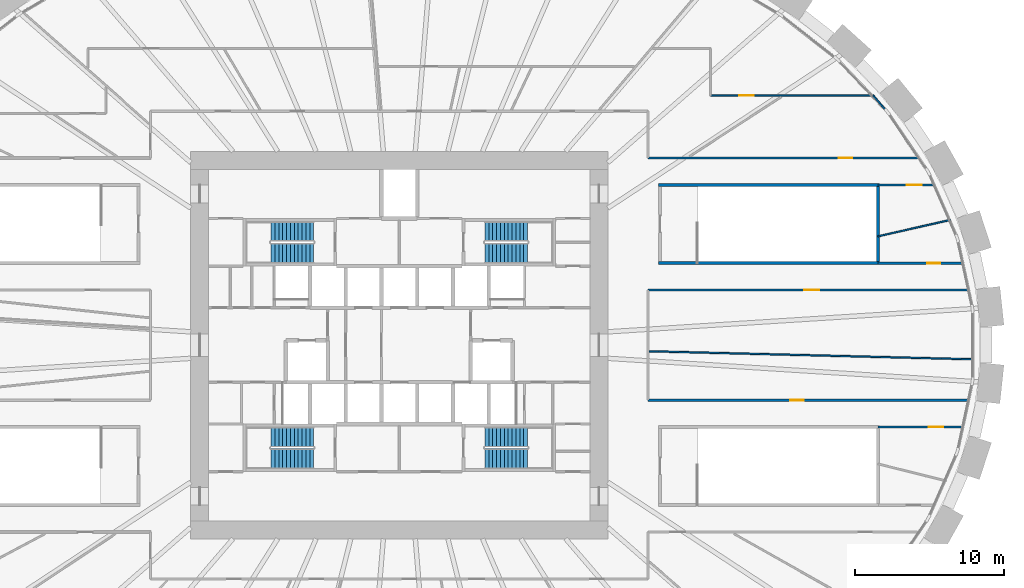
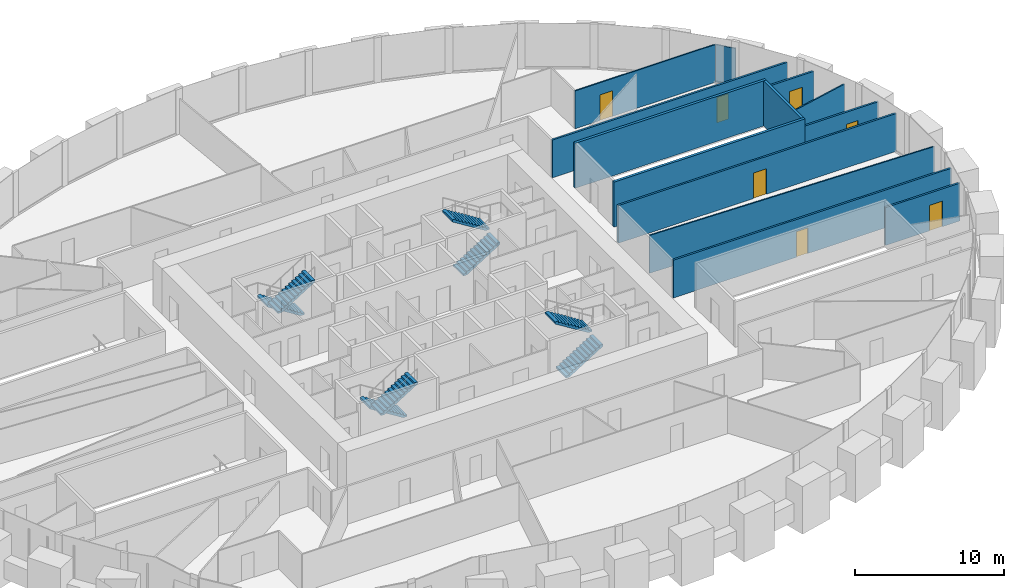
# One storey, part 11 of 12: 13 walls, 8 stair flights, 7 doors, 7 openings, 4 elements without a shape of their own.
"""IFC4 building model written with IfcOpenShell, lengths in metres."""

from ifc_helpers import new_model, si_unit, direction, frame, frame_2d, origin, place, context, subcontext, project, spatial, polyline, rectangle, outline, extrude, source, transform, mapped, material, layer, layer_set, type_object, element, fill, aggregate, save


model = new_model("IFC4")

# Units and contexts
model_context = context("Model", 3, precision=1e-05, world=origin(), true_north=direction((0.0, 1.0)))
body_context = subcontext(model_context, "Body", "Model", "MODEL_VIEW")
ifc_project = project(units=[si_unit("LENGTHUNIT", "METRE"), si_unit("AREAUNIT", "SQUARE_METRE"), si_unit("VOLUMEUNIT", "CUBIC_METRE"), si_unit("PLANEANGLEUNIT", "RADIAN"), si_unit("MASSUNIT", "GRAM", prefix="KILO")], contexts=[model_context])

# Site, building, storey
site_placement = place(None, origin())
site = spatial("IfcSite", under=ifc_project, at=site_placement, CompositionType="ELEMENT")
building_placement = place(site_placement, origin())
building = spatial("IfcBuilding", under=site, at=building_placement, Name="Embergate Tower", CompositionType="ELEMENT")
storey_placement = place(building_placement, frame((0.0, 0.0, 38.0)))
storey = spatial("IfcBuildingStorey", under=building, at=storey_placement, Name="L05", CompositionType="ELEMENT", Elevation=38.0)

# Wall, opening, door
ifc_material_1 = material(Name="Corridor wall dry-lined 150")
ifc_layer_1 = layer(ifc_material_1, 0.14990234375)
ifc_layer_set_1 = layer_set([ifc_layer_1], Name="Corridor wall dry-lined 150")
wall_type_1 = type_object("IfcWallType", Name="Corridor wall dry-lined 150", PredefinedType="PARTITIONING", material=ifc_layer_set_1)
shared_shape_1 = source(origin(), body_context, "Body", "SweptSolid", [
    extrude(rectangle(XDim=18.233154296875, YDim=0.14990234375, at=frame_2d((9.11669921875, 0.0))), origin(), (0.0, 0.0, 1.0), 3.10009765625),
])
wall_1_placement = place(storey_placement, frame((16.699951171875, 12.550048828125, 0.0), z_axis=(0.0, 0.0, 1.0), x_axis=(1.0, 0.0, 0.0)))
wall_1 = element("IfcWall", 1, at=wall_1_placement, inside=storey, type_object=wall_type_1, Name="IP-2 wall", PredefinedType="PARTITIONING", context=body_context, shape_type="MappedRepresentation", body=[
    mapped(shared_shape_1, transform((0.0, 0.0, 0.0))),
])
shared_shape_2 = source(origin(), body_context, "Body", "SweptSolid", [
    extrude(rectangle(XDim=0.89990234375, YDim=2.10009765625, at=frame_2d((0.449951171875, 1.050048828125))), frame((0.0, 0.0849609375, 0.0), z_axis=(0.0, -1.0, 0.0), x_axis=(1.0, 0.0, 0.0)), (0.0, 0.0, 1.0), 0.169921875),
])
opening_1_placement = place(wall_1_placement, frame((12.797119140625, 0.0, 0.0)))
opening_1 = element("IfcOpeningElement", 2, at=opening_1_placement, cuts=wall_1, Name="Opening IF-1c", PredefinedType="OPENING", context=body_context, shape_type="MappedRepresentation", body=[
    mapped(shared_shape_2, transform((0.0, 0.0, 0.0))),
])
ifc_material_2 = material(Name="Escape fire door 900")
door_type_1 = type_object("IfcDoorType", Name="Escape fire door 900", OperationType="SINGLE_SWING_LEFT", PredefinedType="DOOR", material=ifc_material_2)
shared_shape_3 = source(origin(), body_context, "Body", "SweptSolid", [
    extrude(rectangle(XDim=0.89990234375, YDim=2.10009765625, at=frame_2d((0.449951171875, 1.050048828125))), frame((0.0, 0.02490234375, 0.0), z_axis=(0.0, -1.0, 0.0), x_axis=(1.0, 0.0, 0.0)), (0.0, 0.0, 1.0), 0.050048828125),
])
door_1_placement = place(opening_1_placement, origin())
door_1 = element("IfcDoor", 3, at=door_1_placement, inside=storey, type_object=door_type_1, Name="IF-1 door", OperationType="SINGLE_SWING_RIGHT", OverallHeight=2.10009765625, OverallWidth=0.89990234375, PredefinedType="DOOR", context=body_context, shape_type="MappedRepresentation", body=[
    mapped(shared_shape_3, transform((0.0, 0.0, 0.0))),
])
fill(opening_1, door_1)

shared_shape_4 = source(origin(), body_context, "Body", "SweptSolid", [
    extrude(rectangle(XDim=21.578125, YDim=0.14990234375, at=frame_2d((10.7890625, 0.0))), origin(), (0.0, 0.0, 1.0), 3.10009765625),
])
wall_2_placement = place(storey_placement, frame((16.699951171875, -3.699951171875, 0.0), z_axis=(0.0, 0.0, 1.0), x_axis=(1.0, 0.0, 0.0)))
wall_2 = element("IfcWall", 4, at=wall_2_placement, inside=storey, type_object=wall_type_1, Name="IP-2 wall", PredefinedType="PARTITIONING", context=body_context, shape_type="MappedRepresentation", body=[
    mapped(shared_shape_4, transform((0.0, 0.0, 0.0))),
])
opening_2_placement = place(wall_2_placement, frame((9.535888671875, 0.0, 0.0)))
opening_2 = element("IfcOpeningElement", 5, at=opening_2_placement, cuts=wall_2, Name="Opening IF-1c", PredefinedType="OPENING", context=body_context, shape_type="MappedRepresentation", body=[
    mapped(shared_shape_2, transform((0.0, 0.0, 0.0))),
])
door_2_placement = place(opening_2_placement, origin())
door_2 = element("IfcDoor", 6, at=door_2_placement, inside=storey, type_object=door_type_1, Name="IF-1 door", OperationType="SINGLE_SWING_LEFT", OverallHeight=2.10009765625, OverallWidth=0.89990234375, PredefinedType="DOOR", context=body_context, shape_type="MappedRepresentation", body=[
    mapped(shared_shape_3, transform((0.0, 0.0, 0.0))),
])
fill(opening_2, door_2)

wall_3_placement = place(storey_placement, frame((38.278076171875, 3.699951171875, 0.0), z_axis=(0.0, 0.0, 1.0), x_axis=(-1.0, 0.0, 0.0)))
wall_3 = element("IfcWall", 7, at=wall_3_placement, inside=storey, type_object=wall_type_1, Name="IP-2 wall", PredefinedType="PARTITIONING", context=body_context, shape_type="MappedRepresentation", body=[
    mapped(shared_shape_4, transform((0.0, 0.0, 0.0))),
])
shared_shape_5 = source(origin(), body_context, "Body", "SweptSolid", [
    extrude(rectangle(XDim=1.0, YDim=2.10009765625, at=frame_2d((0.5, 1.050048828125))), frame((0.0, 0.0849609375, 0.0), z_axis=(0.0, -1.0, 0.0), x_axis=(1.0, 0.0, 0.0)), (0.0, 0.0, 1.0), 0.169921875),
])
opening_3_placement = place(wall_3_placement, frame((10.0888671875, 0.0, 0.0)))
opening_3 = element("IfcOpeningElement", 8, at=opening_3_placement, cuts=wall_3, Name="Opening ID-2", PredefinedType="OPENING", context=body_context, shape_type="MappedRepresentation", body=[
    mapped(shared_shape_5, transform((0.0, 0.0, 0.0))),
])
ifc_material_3 = material(Name="Interior door 1000")
door_type_2 = type_object("IfcDoorType", Name="Interior door 1000", OperationType="SINGLE_SWING_LEFT", PredefinedType="DOOR", material=ifc_material_3)
shared_shape_6 = source(origin(), body_context, "Body", "SweptSolid", [
    extrude(rectangle(XDim=1.0, YDim=2.10009765625, at=frame_2d((0.5, 1.050048828125))), frame((0.0, 0.02490234375, 0.0), z_axis=(0.0, -1.0, 0.0), x_axis=(1.0, 0.0, 0.0)), (0.0, 0.0, 1.0), 0.050048828125),
])
door_3_placement = place(opening_3_placement, origin())
door_3 = element("IfcDoor", 9, at=door_3_placement, inside=storey, type_object=door_type_2, Name="ID-2 door", OperationType="SINGLE_SWING_LEFT", OverallHeight=2.10009765625, OverallWidth=1.0, PredefinedType="DOOR", context=body_context, shape_type="MappedRepresentation", body=[
    mapped(shared_shape_6, transform((0.0, 0.0, 0.0))),
])
fill(opening_3, door_3)

shared_shape_7 = source(origin(), body_context, "Body", "SweptSolid", [
    extrude(rectangle(XDim=5.79296875, YDim=0.14990234375, at=frame_2d((2.896484375, 0.0))), origin(), (0.0, 0.0, 1.0), 3.10009765625),
])
wall_4_placement = place(storey_placement, frame((37.9130859375, -5.5, 0.0), z_axis=(0.0, 0.0, 1.0), x_axis=(-1.0, 0.0, 0.0)))
wall_4 = element("IfcWall", 10, at=wall_4_placement, inside=storey, type_object=wall_type_1, Name="IP-2 wall", PredefinedType="PARTITIONING", context=body_context, shape_type="MappedRepresentation", body=[
    mapped(shared_shape_7, transform((0.0, 0.0, 0.0))),
])
opening_4_placement = place(wall_4_placement, frame((1.390380859375, 0.0, 0.0)))
opening_4 = element("IfcOpeningElement", 11, at=opening_4_placement, cuts=wall_4, Name="Opening ID-2", PredefinedType="OPENING", context=body_context, shape_type="MappedRepresentation", body=[
    mapped(shared_shape_5, transform((0.0, 0.0, 0.0))),
])
door_4_placement = place(opening_4_placement, origin())
door_4 = element("IfcDoor", 12, at=door_4_placement, inside=storey, type_object=door_type_2, Name="ID-2 door", OperationType="SINGLE_SWING_LEFT", OverallHeight=2.10009765625, OverallWidth=1.0, PredefinedType="DOOR", context=body_context, shape_type="MappedRepresentation", body=[
    mapped(shared_shape_6, transform((0.0, 0.0, 0.0))),
])
fill(opening_4, door_4)

wall_5_placement = place(storey_placement, frame((32.1201171875, 5.5, 0.0), z_axis=(0.0, 0.0, 1.0), x_axis=(1.0, 0.0, 0.0)))
wall_5 = element("IfcWall", 13, at=wall_5_placement, inside=storey, type_object=wall_type_1, Name="IP-2 wall", PredefinedType="PARTITIONING", context=body_context, shape_type="MappedRepresentation", body=[
    mapped(shared_shape_7, transform((0.0, 0.0, 0.0))),
])
opening_5_placement = place(wall_5_placement, frame((3.304931640625, 0.0, 0.0)))
opening_5 = element("IfcOpeningElement", 14, at=opening_5_placement, cuts=wall_5, Name="Opening IF-1c", PredefinedType="OPENING", context=body_context, shape_type="MappedRepresentation", body=[
    mapped(shared_shape_2, transform((0.0, 0.0, 0.0))),
])
door_5_placement = place(opening_5_placement, origin())
door_5 = element("IfcDoor", 15, at=door_5_placement, inside=storey, type_object=door_type_1, Name="IF-1 door", OperationType="SINGLE_SWING_RIGHT", OverallHeight=2.10009765625, OverallWidth=0.89990234375, PredefinedType="DOOR", context=body_context, shape_type="MappedRepresentation", body=[
    mapped(shared_shape_3, transform((0.0, 0.0, 0.0))),
])
fill(opening_5, door_5)

shared_shape_8 = source(origin(), body_context, "Body", "SweptSolid", [
    extrude(rectangle(XDim=3.81787109375, YDim=0.14990234375, at=frame_2d((1.908935546875, 0.0))), origin(), (0.0, 0.0, 1.0), 3.10009765625),
])
wall_6_placement = place(storey_placement, frame((35.93798828125, 10.75, 0.0), z_axis=(0.0, 0.0, 1.0), x_axis=(-1.0, 0.0, 0.0)))
wall_6 = element("IfcWall", 16, at=wall_6_placement, inside=storey, type_object=wall_type_1, Name="IP-2 wall", PredefinedType="PARTITIONING", context=body_context, shape_type="MappedRepresentation", body=[
    mapped(shared_shape_8, transform((0.0, 0.0, 0.0))),
])
opening_6_placement = place(wall_6_placement, frame((0.876708984375, 0.0, 0.0)))
opening_6 = element("IfcOpeningElement", 17, at=opening_6_placement, cuts=wall_6, Name="Opening ID-2", PredefinedType="OPENING", context=body_context, shape_type="MappedRepresentation", body=[
    mapped(shared_shape_5, transform((0.0, 0.0, 0.0))),
])
door_6_placement = place(opening_6_placement, origin())
door_6 = element("IfcDoor", 18, at=door_6_placement, inside=storey, type_object=door_type_2, Name="ID-2 door", OperationType="SINGLE_SWING_LEFT", OverallHeight=2.10009765625, OverallWidth=1.0, PredefinedType="DOOR", context=body_context, shape_type="MappedRepresentation", body=[
    mapped(shared_shape_6, transform((0.0, 0.0, 0.0))),
])
fill(opening_6, door_6)

# Walls
ifc_material_4 = material(Name="Partition dry-lined 100")
ifc_layer_2 = layer(ifc_material_4, 0.10009765625)
ifc_layer_set_2 = layer_set([ifc_layer_2], Name="Partition dry-lined 100")
wall_type_2 = type_object("IfcWallType", Name="Partition dry-lined 100", PredefinedType="PARTITIONING", material=ifc_layer_set_2)
shared_shape_9 = source(origin(), body_context, "Body", "SweptSolid", [
    extrude(rectangle(XDim=21.797607421875, YDim=0.10009765625, at=frame_2d((10.89892578125, 0.0))), origin(), (0.0, 0.0, 1.0), 3.10009765625),
])
wall_7_placement = place(storey_placement, frame((38.56591796875, -0.955078125, 0.0), z_axis=(0.0, 0.0, 1.0), x_axis=(-0.999693051571, 0.02477504067, 0.0)))
element("IfcWall", 19, at=wall_7_placement, inside=storey, type_object=wall_type_2, Name="IP-1 wall", PredefinedType="PARTITIONING", context=body_context, shape_type="MappedRepresentation", body=[
    mapped(shared_shape_9, transform((0.0, 0.0, 0.0))),
])
shared_shape_10 = source(origin(), body_context, "Body", "SweptSolid", [
    extrude(rectangle(XDim=1.453857421875, YDim=0.10009765625, at=frame_2d((0.72705078125, 0.0))), origin(), (0.0, 0.0, 1.0), 3.10009765625),
])
wall_8_placement = place(storey_placement, frame((31.800048828125, 16.75390625, 0.0), z_axis=(0.0, 0.0, 1.0), x_axis=(0.651413496103, -0.758722911935, 0.0)))
element("IfcWall", 20, at=wall_8_placement, inside=storey, type_object=wall_type_2, Name="IP-1 wall", PredefinedType="PARTITIONING", context=body_context, shape_type="MappedRepresentation", body=[
    mapped(shared_shape_10, transform((0.0, 0.0, 0.0))),
])

# Wall, opening, door
shared_shape_11 = source(origin(), body_context, "Body", "SweptSolid", [
    extrude(rectangle(XDim=10.903076171875, YDim=0.10009765625, at=frame_2d((5.45166015625, 0.0))), origin(), (0.0, 0.0, 1.0), 3.10009765625),
])
wall_9_placement = place(storey_placement, frame((31.802978515625, 16.75, 0.0), z_axis=(0.0, 0.0, 1.0), x_axis=(-1.0, 0.0, 0.0)))
wall_9 = element("IfcWall", 21, at=wall_9_placement, inside=storey, type_object=wall_type_2, Name="IP-1 wall", PredefinedType="PARTITIONING", context=body_context, shape_type="MappedRepresentation", body=[
    mapped(shared_shape_11, transform((0.0, 0.0, 0.0))),
])
shared_shape_12 = source(origin(), body_context, "Body", "SweptSolid", [
    extrude(rectangle(XDim=1.0, YDim=2.10009765625, at=frame_2d((0.5, 1.050048828125))), frame((0.0, 0.06005859375, 0.0), z_axis=(0.0, -1.0, 0.0), x_axis=(1.0, 0.0, 0.0)), (0.0, 0.0, 1.0), 0.1201171875),
])
opening_7_placement = place(wall_9_placement, frame((7.998291015625, 0.0, 0.0)))
opening_7 = element("IfcOpeningElement", 22, at=opening_7_placement, cuts=wall_9, Name="Opening ID-2", PredefinedType="OPENING", context=body_context, shape_type="MappedRepresentation", body=[
    mapped(shared_shape_12, transform((0.0, 0.0, 0.0))),
])
door_7_placement = place(opening_7_placement, origin())
door_7 = element("IfcDoor", 23, at=door_7_placement, inside=storey, type_object=door_type_2, Name="ID-2 door", OperationType="SINGLE_SWING_RIGHT", OverallHeight=2.10009765625, OverallWidth=1.0, PredefinedType="DOOR", context=body_context, shape_type="MappedRepresentation", body=[
    mapped(shared_shape_6, transform((0.0, 0.0, 0.0))),
])
fill(opening_7, door_7)

# Walls
shared_shape_13 = source(origin(), body_context, "Body", "SweptSolid", [
    extrude(rectangle(XDim=4.99609375, YDim=0.10009765625, at=frame_2d((2.498046875, 0.0))), origin(), (0.0, 0.0, 1.0), 3.10009765625),
])
wall_10_placement = place(storey_placement, frame((36.991943359375, 8.403076171875, 0.0), z_axis=(0.0, 0.0, 1.0), x_axis=(-0.975135255868, -0.22161054299, 0.0)))
element("IfcWall", 24, at=wall_10_placement, inside=storey, type_object=wall_type_2, Name="IP-1 wall", PredefinedType="PARTITIONING", context=body_context, shape_type="MappedRepresentation", body=[
    mapped(shared_shape_13, transform((0.0, 0.0, 0.0))),
])
ifc_material_5 = material(Name="Concrete C40", Category="concrete")
ifc_layer_3 = layer(ifc_material_5, 0.199951171875)
ifc_layer_set_3 = layer_set([ifc_layer_3], Name="Concrete C40")
wall_type_3 = type_object("IfcWallType", Name="Stair enclosure wall RC 200", PredefinedType="STANDARD", material=ifc_layer_set_3)
shared_shape_14 = source(origin(), body_context, "Body", "SweptSolid", [
    extrude(rectangle(XDim=5.0498046875, YDim=0.199951171875, at=frame_2d((2.52490234375, 0.0))), origin(), (0.0, 0.0, 1.0), 3.699951171875),
])
wall_11_placement = place(storey_placement, frame((32.1201171875, 10.64990234375, 0.0), z_axis=(0.0, 0.0, 1.0), x_axis=(0.0, -1.0, 0.0)))
element("IfcWall", 25, at=wall_11_placement, inside=storey, type_object=wall_type_3, Name="Stair wall 016", PredefinedType="STANDARD", context=body_context, shape_type="MappedRepresentation", body=[
    mapped(shared_shape_14, transform((0.0, 0.0, 0.0))),
])
shared_shape_15 = source(origin(), body_context, "Body", "SweptSolid", [
    extrude(rectangle(XDim=14.820068359375, YDim=0.199951171875, at=frame_2d((7.41015625, 0.0))), origin(), (0.0, 0.0, 1.0), 3.699951171875),
])
for number, where, z_axis, x_axis, name in (
    (26, (17.39990234375, 10.75, 0.0), (0.0, 0.0, 1.0), (1.0, 0.0, 0.0), "Stair wall 012"),
    (27, (32.219970703125, 5.5, 0.0), (0.0, 0.0, 1.0), (-1.0, 0.0, 0.0), "Stair wall 015"),
):
    element("IfcWall", number, at=place(storey_placement, frame(where, z_axis=z_axis, x_axis=x_axis)), inside=storey, type_object=wall_type_3, Name=name, PredefinedType="STANDARD", context=body_context, shape_type="MappedRepresentation", body=[
        mapped(shared_shape_15, transform((0.0, 0.0, 0.0))),
    ])

# Stair, stair flights
ifc_material_6 = material(Name="Exit stair")
stair_type = type_object("IfcStairType", Name="Exit stair", PredefinedType="HALF_TURN_STAIR", material=ifc_material_6)
stair_1_placement = place(storey_placement, origin())
stair_1 = element("IfcStair", 28, at=stair_1_placement, inside=storey, type_object=stair_type, Name="L05 Exit stair 1", PredefinedType="HALF_TURN_STAIR")
stair_flight_type = type_object("IfcStairFlightType", Name="Stair flight reinforced concrete", PredefinedType="STRAIGHT", material=ifc_material_5)
shared_shape_16 = source(origin(), body_context, "Body", "SweptSolid", [
    extrude(outline(polyline([(0.0, 0.0), (0.0, 0.16259765625), (0.260009765625, 0.16259765625), (0.260009765625, 0.324951171875), (0.52001953125, 0.324951171875), (0.52001953125, 0.487548828125), (0.780029296875, 0.487548828125), (0.780029296875, 0.64990234375), (1.0400390625, 0.64990234375), (1.0400390625, 0.8125), (1.300048828125, 0.8125), (1.300048828125, 0.97509765625), (1.56005859375, 0.97509765625), (1.56005859375, 1.137451171875), (1.820068359375, 1.137451171875), (1.820068359375, 1.300048828125), (2.080078125, 1.300048828125), (2.080078125, 1.46240234375), (2.340087890625, 1.46240234375), (2.340087890625, 1.625), (2.60009765625, 1.625), (2.60009765625, 1.78759765625), (2.860107421875, 1.78759765625), (2.860107421875, 1.949951171875), (2.860107421875, 1.61083984375), (0.28271484375, 0.0), (0.0, 0.0)])), frame((0.0, 0.675048828125, 0.0), z_axis=(0.0, -1.0, 0.0), x_axis=(1.0, 0.0, 0.0)), (0.0, 0.0, 1.0), 1.35009765625),
])
stair_flight_1_placement = place(storey_placement, frame((-5.75, 7.625, 0.0), z_axis=(0.0, 0.0, 1.0), x_axis=(-1.0, 0.0, 0.0)))
stair_flight_1 = element("IfcStairFlight", 29, at=stair_flight_1_placement, type_object=stair_flight_type, Name="ST1 flight 1", NumberOfRisers=12, NumberOfTreads=11, PredefinedType="STRAIGHT", RiserHeight=0.1625, TreadLength=0.26, context=body_context, shape_type="MappedRepresentation", body=[
    mapped(shared_shape_16, transform((0.0, 0.0, 0.0))),
])
stair_flight_2_placement = place(storey_placement, frame((-8.610107421875, 6.175048828125, 1.949951171875), z_axis=(0.0, 0.0, 1.0), x_axis=(1.0, 0.0, 0.0)))
stair_flight_2 = element("IfcStairFlight", 30, at=stair_flight_2_placement, type_object=stair_flight_type, Name="ST1 flight 2", NumberOfRisers=12, NumberOfTreads=11, PredefinedType="STRAIGHT", RiserHeight=0.1625, TreadLength=0.26, context=body_context, shape_type="MappedRepresentation", body=[
    mapped(shared_shape_16, transform((0.0, 0.0, 0.0))),
])
aggregate(stair_1, [stair_flight_1, stair_flight_2])

stair_2_placement = place(storey_placement, origin())
stair_2 = element("IfcStair", 31, at=stair_2_placement, inside=storey, type_object=stair_type, Name="L05 Exit stair 2", PredefinedType="HALF_TURN_STAIR")
stair_flight_3_placement = place(storey_placement, frame((5.75, 6.175048828125, 0.0), z_axis=(0.0, 0.0, 1.0), x_axis=(1.0, 0.0, 0.0)))
stair_flight_3 = element("IfcStairFlight", 32, at=stair_flight_3_placement, type_object=stair_flight_type, Name="ST2 flight 1", NumberOfRisers=12, NumberOfTreads=11, PredefinedType="STRAIGHT", RiserHeight=0.1625, TreadLength=0.26, context=body_context, shape_type="MappedRepresentation", body=[
    mapped(shared_shape_16, transform((0.0, 0.0, 0.0))),
])
stair_flight_4_placement = place(storey_placement, frame((8.610107421875, 7.625, 1.949951171875), z_axis=(0.0, 0.0, 1.0), x_axis=(-1.0, 0.0, 0.0)))
stair_flight_4 = element("IfcStairFlight", 33, at=stair_flight_4_placement, type_object=stair_flight_type, Name="ST2 flight 2", NumberOfRisers=12, NumberOfTreads=11, PredefinedType="STRAIGHT", RiserHeight=0.1625, TreadLength=0.26, context=body_context, shape_type="MappedRepresentation", body=[
    mapped(shared_shape_16, transform((0.0, 0.0, 0.0))),
])
aggregate(stair_2, [stair_flight_3, stair_flight_4])

stair_3_placement = place(storey_placement, origin())
stair_3 = element("IfcStair", 34, at=stair_3_placement, inside=storey, type_object=stair_type, Name="L05 Exit stair 3", PredefinedType="HALF_TURN_STAIR")
stair_flight_5_placement = place(storey_placement, frame((-5.75, -6.175048828125, 0.0), z_axis=(0.0, 0.0, 1.0), x_axis=(-1.0, 0.0, 0.0)))
stair_flight_5 = element("IfcStairFlight", 35, at=stair_flight_5_placement, type_object=stair_flight_type, Name="ST3 flight 1", NumberOfRisers=12, NumberOfTreads=11, PredefinedType="STRAIGHT", RiserHeight=0.1625, TreadLength=0.26, context=body_context, shape_type="MappedRepresentation", body=[
    mapped(shared_shape_16, transform((0.0, 0.0, 0.0))),
])
stair_flight_6_placement = place(storey_placement, frame((-8.610107421875, -7.625, 1.949951171875), z_axis=(0.0, 0.0, 1.0), x_axis=(1.0, 0.0, 0.0)))
stair_flight_6 = element("IfcStairFlight", 36, at=stair_flight_6_placement, type_object=stair_flight_type, Name="ST3 flight 2", NumberOfRisers=12, NumberOfTreads=11, PredefinedType="STRAIGHT", RiserHeight=0.1625, TreadLength=0.26, context=body_context, shape_type="MappedRepresentation", body=[
    mapped(shared_shape_16, transform((0.0, 0.0, 0.0))),
])
aggregate(stair_3, [stair_flight_5, stair_flight_6])

stair_4_placement = place(storey_placement, origin())
stair_4 = element("IfcStair", 37, at=stair_4_placement, inside=storey, type_object=stair_type, Name="L05 Exit stair 4", PredefinedType="HALF_TURN_STAIR")
stair_flight_7_placement = place(storey_placement, frame((5.75, -7.625, 0.0), z_axis=(0.0, 0.0, 1.0), x_axis=(1.0, 0.0, 0.0)))
stair_flight_7 = element("IfcStairFlight", 38, at=stair_flight_7_placement, type_object=stair_flight_type, Name="ST4 flight 1", NumberOfRisers=12, NumberOfTreads=11, PredefinedType="STRAIGHT", RiserHeight=0.1625, TreadLength=0.26, context=body_context, shape_type="MappedRepresentation", body=[
    mapped(shared_shape_16, transform((0.0, 0.0, 0.0))),
])
stair_flight_8_placement = place(storey_placement, frame((8.610107421875, -6.175048828125, 1.949951171875), z_axis=(0.0, 0.0, 1.0), x_axis=(-1.0, 0.0, 0.0)))
stair_flight_8 = element("IfcStairFlight", 39, at=stair_flight_8_placement, type_object=stair_flight_type, Name="ST4 flight 2", NumberOfRisers=12, NumberOfTreads=11, PredefinedType="STRAIGHT", RiserHeight=0.1625, TreadLength=0.26, context=body_context, shape_type="MappedRepresentation", body=[
    mapped(shared_shape_16, transform((0.0, 0.0, 0.0))),
])
aggregate(stair_4, [stair_flight_7, stair_flight_8])

save(model, "model.ifc")
